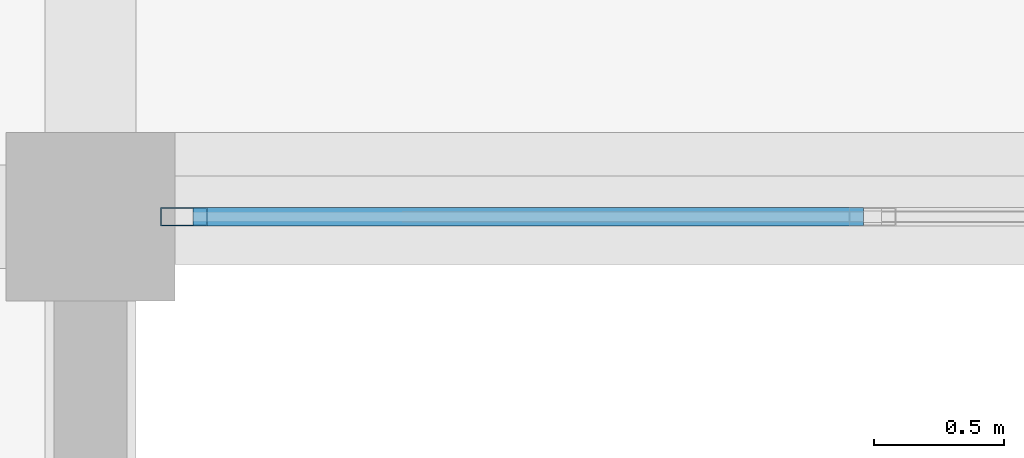
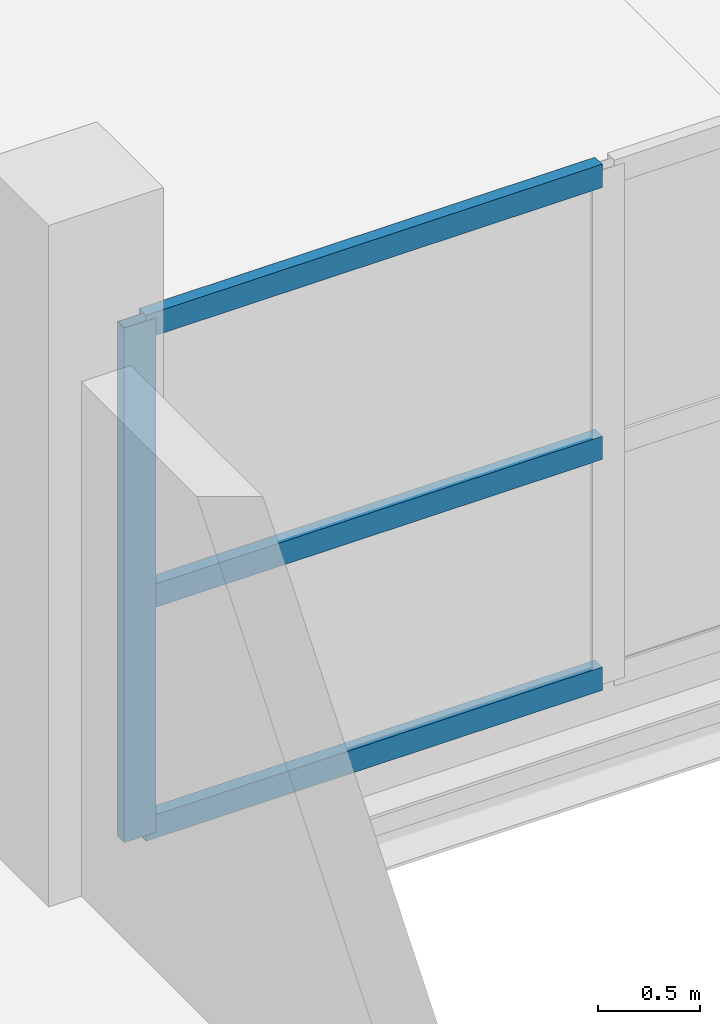
# One storey, part 10 of 53: 4 members, 1 element without a shape of its own.
"""IFC4 building model written with IfcOpenShell, lengths in metres."""

from ifc_helpers import new_model, si_unit, direction, frame, origin, origin_2d, place, context, subcontext, project, spatial, hollow_rectangle, extrude, material, layer, layer_set, material_profile, profile_set, type_object, element, aggregate, save


model = new_model("IFC4")

# Units and contexts
model_context = context("Model", 3, precision=1e-05, world=origin(), true_north=direction((0.0, 1.0)))
body_context = subcontext(model_context, "Body", "Model", "MODEL_VIEW")
ifc_project = project(units=[si_unit("LENGTHUNIT", "METRE"), si_unit("AREAUNIT", "SQUARE_METRE"), si_unit("VOLUMEUNIT", "CUBIC_METRE"), si_unit("PLANEANGLEUNIT", "RADIAN"), si_unit("MASSUNIT", "GRAM", prefix="KILO")], contexts=[model_context])

# Site, building, storey
site_placement = place(None, origin())
site = spatial("IfcSite", under=ifc_project, at=site_placement, CompositionType="ELEMENT")
building_placement = place(site_placement, origin())
building = spatial("IfcBuilding", under=site, at=building_placement, Name="Sillaruma Civic Art Gallery", CompositionType="ELEMENT")
storey_placement = place(building_placement, frame((0.0, 0.0, 70.3798828125)))
storey = spatial("IfcBuildingStorey", under=building, at=storey_placement, Name="L14", CompositionType="ELEMENT", Elevation=70.3798828125)

# Curtain wall, members
ifc_material = material(Name="Thermally Broken Extruded Aluminium 6063-T6", Category="aluminium")
ifc_layer = layer(ifc_material, 0.179931640625, Name="Thermally Broken Extruded Aluminium 6063-T6")
ifc_layer_set = layer_set([ifc_layer], Name="Thermally Broken Extruded Aluminium 6063-T6")
curtain_wall_type = type_object("IfcCurtainWallType", Name="CW-UNI-110", PredefinedType="NOTDEFINED", material=ifc_layer_set)
curtain_wall_placement = place(storey_placement, origin())
curtain_wall = element("IfcCurtainWall", 1, at=curtain_wall_placement, inside=storey, type_object=curtain_wall_type, Name="Unitised Curtain Wall CW-110 (CW-BRG-S-L14-S)", PredefinedType="NOTDEFINED")
ifc_material_profile_1 = material_profile(ifc_material, hollow_rectangle(XDim=0.070068359375, YDim=0.179931640625, WallThickness=0.00390625, at=origin_2d()), Name="CWM70x180")
ifc_profile_set_1 = profile_set([ifc_material_profile_1], Name="Thermally Broken Extruded Aluminium 6063-T6")
member_type_1 = type_object("IfcMemberType", Name="MEM-MUL-CWM70x180", PredefinedType="MULLION", material=ifc_profile_set_1)
member_1_placement = place(storey_placement, frame((92.360107421875, 39.60009765625, 0.0), z_axis=(0.0, 0.0, 1.0), x_axis=(0.0, 1.0, 0.0)))
member_1 = element("IfcMember", 2, at=member_1_placement, type_object=member_type_1, Name="CW-110 mullion 1", PredefinedType="MULLION", context=body_context, shape_type="SweptSolid", body=[
    extrude(hollow_rectangle(XDim=0.070068359375, YDim=0.179931640625, WallThickness=0.00390625, at=origin_2d()), origin(), (0.0, 0.0, 1.0), 3.080078125),
])
ifc_material_profile_2 = material_profile(ifc_material, hollow_rectangle(XDim=0.070068359375, YDim=0.139892578125, WallThickness=0.00390625, at=origin_2d()), Name="CWT70x140")
ifc_profile_set_2 = profile_set([ifc_material_profile_2], Name="Thermally Broken Extruded Aluminium 6063-T6")
member_type_2 = type_object("IfcMemberType", Name="MEM-TRN-CWT70x140", PredefinedType="USERDEFINED", material=ifc_profile_set_2)
member_2_placement = place(storey_placement, frame((92.39501953125, 39.60009765625, 0.03515625), z_axis=(1.0, 0.0, 0.0), x_axis=(0.0, 1.0, 0.0)))
member_2 = element("IfcMember", 3, at=member_2_placement, type_object=member_type_2, Name="CW-110 transom 1.1", ObjectType="TRANSOM", PredefinedType="USERDEFINED", context=body_context, shape_type="SweptSolid", body=[
    extrude(hollow_rectangle(XDim=0.070068359375, YDim=0.139892578125, WallThickness=0.00390625, at=origin_2d()), origin(), (0.0, 0.0, 1.0), 2.58251953125),
])
member_3_placement = place(storey_placement, frame((92.39501953125, 39.60009765625, 1.4169921875), z_axis=(1.0, 0.0, 0.0), x_axis=(0.0, 1.0, 0.0)))
member_3 = element("IfcMember", 4, at=member_3_placement, type_object=member_type_2, Name="CW-110 transom 1.2", ObjectType="TRANSOM", PredefinedType="USERDEFINED", context=body_context, shape_type="SweptSolid", body=[
    extrude(hollow_rectangle(XDim=0.070068359375, YDim=0.139892578125, WallThickness=0.00390625, at=origin_2d()), origin(), (0.0, 0.0, 1.0), 2.58251953125),
])
member_4_placement = place(storey_placement, frame((92.39501953125, 39.60009765625, 3.045166015625), z_axis=(1.0, 0.0, 0.0), x_axis=(0.0, 1.0, 0.0)))
member_4 = element("IfcMember", 5, at=member_4_placement, type_object=member_type_2, Name="CW-110 transom 1.3", ObjectType="TRANSOM", PredefinedType="USERDEFINED", context=body_context, shape_type="SweptSolid", body=[
    extrude(hollow_rectangle(XDim=0.070068359375, YDim=0.139892578125, WallThickness=0.00390625, at=origin_2d()), origin(), (0.0, 0.0, 1.0), 2.58251953125),
])
aggregate(curtain_wall, [member_1, member_2, member_3, member_4])

save(model, "model.ifc")
